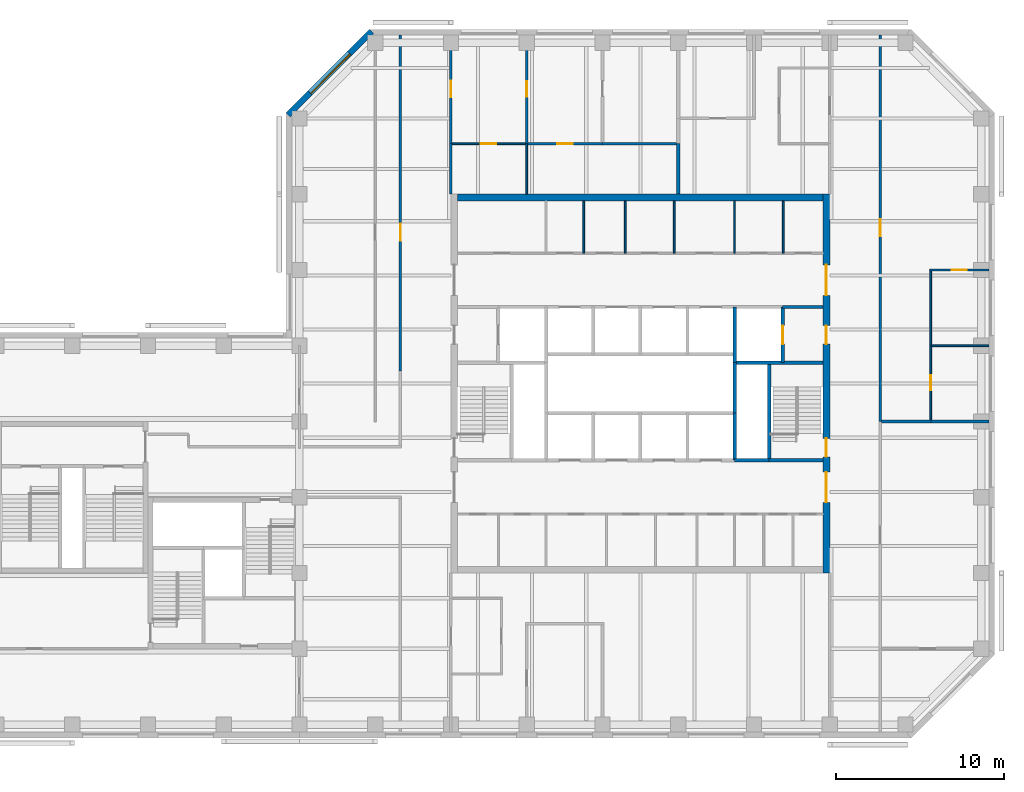
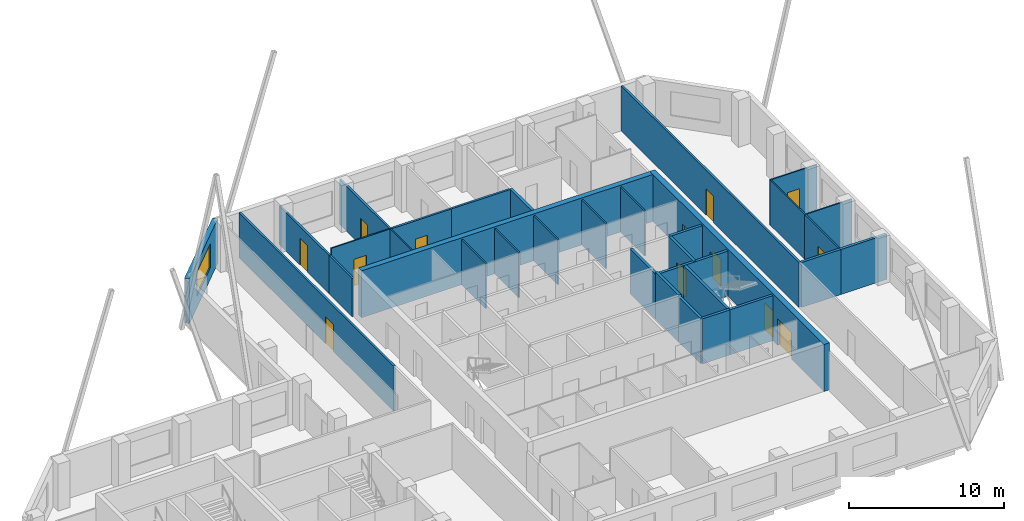
# One storey, part 6 of 9: 33 walls, 13 doors, 1 window, 14 openings.
"""IFC4 building model written with IfcOpenShell, lengths in metres."""

from ifc_helpers import new_model, si_unit, direction, frame, frame_2d, origin, place, context, subcontext, project, spatial, rectangle, extrude, material, layer, layer_set, constituent, constituent_set, type_object, element, fill, save


model = new_model("IFC4")

# Units and contexts
model_context = context("Model", 3, precision=1e-05, world=origin(), true_north=direction((0.0, 1.0)))
body_context = subcontext(model_context, "Body", "Model", "MODEL_VIEW")
ifc_project = project(units=[si_unit("LENGTHUNIT", "METRE"), si_unit("AREAUNIT", "SQUARE_METRE"), si_unit("VOLUMEUNIT", "CUBIC_METRE"), si_unit("PLANEANGLEUNIT", "RADIAN"), si_unit("MASSUNIT", "GRAM", prefix="KILO")], contexts=[model_context])

# Site, building, storey
site_placement = place(None, origin())
site = spatial("IfcSite", under=ifc_project, at=site_placement, CompositionType="ELEMENT")
building_placement = place(site_placement, origin())
building = spatial("IfcBuilding", under=site, at=building_placement, Name="Quoin Convention Tower", CompositionType="ELEMENT")
storey_placement = place(building_placement, frame((0.0, 0.0, 158.800048828125)))
storey = spatial("IfcBuildingStorey", under=building, at=storey_placement, Name="L41", CompositionType="ELEMENT", Elevation=158.800048828125)

# Wall, opening, door
ifc_material_1 = material(Name="Plasterboard")
ifc_layer_1 = layer(ifc_material_1, 0.012451171875, Name="Finish")
ifc_material_2 = material(Name="Steel stud framing", Category="steel")
ifc_layer_2 = layer(ifc_material_2, 0.125, Name="Structure")
ifc_layer_3 = layer(ifc_material_1, 0.012451171875, Name="Finish")
ifc_layer_set_1 = layer_set([ifc_layer_1, ifc_layer_2, ifc_layer_3], Name="Steel stud framing")
wall_type_1 = type_object("IfcWallType", Name="Acoustic partition 150", PredefinedType="PARTITIONING", material=ifc_layer_set_1)
wall_1_placement = place(storey_placement, frame((49.574951171875, 75.0, 0.0), z_axis=(0.0, 0.0, 1.0), x_axis=(1.0, 0.0, 0.0)))
wall_1 = element("IfcWall", 1, at=wall_1_placement, inside=storey, type_object=wall_type_1, Name="pw-L41-024", PredefinedType="PARTITIONING", context=body_context, shape_type="SweptSolid", body=[
    extrude(rectangle(XDim=4.425048828125, YDim=0.14990234375, at=frame_2d((2.21240234375, 0.0))), origin(), (0.0, 0.0, 1.0), 3.550048828125),
])
opening_1_placement = place(wall_1_placement, frame((1.75, 0.0, 0.0)))
opening_1 = element("IfcOpeningElement", 2, at=opening_1_placement, cuts=wall_1, Name="Opening DOH2-04", PredefinedType="OPENING", context=body_context, shape_type="SweptSolid", body=[
    extrude(rectangle(XDim=0.89990234375, YDim=2.10009765625, at=frame_2d((0.449951171875, 1.050048828125))), frame((0.0, 0.0849609375, 0.0), z_axis=(0.0, -1.0, 0.0), x_axis=(1.0, 0.0, 0.0)), (0.0, 0.0, 1.0), 0.169921875),
])
ifc_material_3 = material(Name="Steel door leaf", Category="steel")
door_type_1 = type_object("IfcDoorType", Name="Office door 900 x 2100", OperationType="SINGLE_SWING_RIGHT", PredefinedType="DOOR", material=ifc_material_3)
door_1_placement = place(opening_1_placement, origin())
door_1 = element("IfcDoor", 3, at=door_1_placement, inside=storey, type_object=door_type_1, Name="dr-L41-20", OperationType="SINGLE_SWING_RIGHT", OverallHeight=2.10009765625, OverallWidth=0.89990234375, PredefinedType="DOOR", context=body_context, shape_type="SweptSolid", body=[
    extrude(rectangle(XDim=0.89990234375, YDim=2.10009765625, at=frame_2d((0.449951171875, 1.050048828125))), frame((0.0, 0.02490234375, 0.0), z_axis=(0.0, -1.0, 0.0), x_axis=(1.0, 0.0, 0.0)), (0.0, 0.0, 1.0), 0.050048828125),
])
fill(opening_1, door_1)

# Wall
wall_2_placement = place(storey_placement, frame((54.0, 75.0, 0.0), z_axis=(0.0, 0.0, 1.0), x_axis=(1.0, 0.0, 0.0)))
element("IfcWall", 4, at=wall_2_placement, inside=storey, type_object=wall_type_1, Name="pw-L41-025", PredefinedType="PARTITIONING", context=body_context, shape_type="SweptSolid", body=[
    extrude(rectangle(XDim=4.39990234375, YDim=0.14990234375, at=frame_2d((2.199951171875, 0.0))), origin(), (0.0, 0.0, 1.0), 3.550048828125),
])

# Wall, opening, door
wall_3_placement = place(storey_placement, frame((49.5, 75.0, 0.0), z_axis=(0.0, 0.0, 1.0), x_axis=(0.0, 1.0, 0.0)))
wall_3 = element("IfcWall", 5, at=wall_3_placement, inside=storey, type_object=wall_type_1, Name="pw-L41-065", PredefinedType="PARTITIONING", context=body_context, shape_type="SweptSolid", body=[
    extrude(rectangle(XDim=6.449951171875, YDim=0.14990234375, at=frame_2d((3.22509765625, 0.0))), origin(), (0.0, 0.0, 1.0), 3.550048828125),
])
opening_2_placement = place(wall_3_placement, frame((2.800048828125, 0.0, 0.0)))
opening_2 = element("IfcOpeningElement", 6, at=opening_2_placement, cuts=wall_3, Name="Opening DOH2-15", PredefinedType="OPENING", context=body_context, shape_type="SweptSolid", body=[
    extrude(rectangle(XDim=0.89990234375, YDim=2.10009765625, at=frame_2d((0.449951171875, 1.050048828125))), frame((0.0, 0.0849609375, 0.0), z_axis=(0.0, -1.0, 0.0), x_axis=(1.0, 0.0, 0.0)), (0.0, 0.0, 1.0), 0.169921875),
])
door_2_placement = place(opening_2_placement, frame((0.89990234375, 0.0, 0.0), z_axis=(0.0, 0.0, 1.0), x_axis=(-1.0, 0.0, 0.0)))
door_2 = element("IfcDoor", 7, at=door_2_placement, inside=storey, type_object=door_type_1, Name="dr-L41-17", OperationType="SINGLE_SWING_LEFT", OverallHeight=2.10009765625, OverallWidth=0.89990234375, PredefinedType="DOOR", context=body_context, shape_type="SweptSolid", body=[
    extrude(rectangle(XDim=0.89990234375, YDim=2.10009765625, at=frame_2d((0.449951171875, 1.050048828125))), frame((0.0, 0.02490234375, 0.0), z_axis=(0.0, -1.0, 0.0), x_axis=(1.0, 0.0, 0.0)), (0.0, 0.0, 1.0), 0.050048828125),
])
fill(opening_2, door_2)

# Wall, opening, window
ifc_material_4 = material(Name="Brick masonry", Category="masonry")
ifc_layer_4 = layer(ifc_material_4, 0.35009765625)
ifc_layer_set_2 = layer_set([ifc_layer_4], Name="Brick masonry")
wall_type_2 = type_object("IfcWallType", Name="Brick facade wall", PredefinedType="STANDARD", material=ifc_layer_set_2)
wall_4_placement = place(storey_placement, frame((40.29248046875, 81.67626953125, 0.0), z_axis=(0.0, 0.0, 1.0), x_axis=(-0.707106781187, -0.707106781187, 0.0)))
wall_4 = element("IfcWall", 8, at=wall_4_placement, inside=storey, type_object=wall_type_2, Name="fw-L41-40500_81000", PredefinedType="STANDARD", context=body_context, shape_type="SweptSolid", body=[
    extrude(rectangle(XDim=7.02685546875, YDim=0.35009765625, at=frame_2d((3.513427734375, 0.0))), origin(), (0.0, 0.0, 1.0), 3.52490234375),
])
opening_3_placement = place(wall_4_placement, frame((1.86328125, 0.0, 0.89990234375)))
opening_3 = element("IfcOpeningElement", 9, at=opening_3_placement, cuts=wall_4, Name="Opening W-02", PredefinedType="OPENING", context=body_context, shape_type="SweptSolid", body=[
    extrude(rectangle(XDim=3.300048828125, YDim=1.89990234375, at=frame_2d((1.64990234375, 0.949951171875))), frame((0.0, 0.18505859375, 0.0), z_axis=(0.0, -1.0, 0.0), x_axis=(1.0, 0.0, 0.0)), (0.0, 0.0, 1.0), 0.3701171875),
])
ifc_material_5 = material(Name="Aluminium", Category="aluminium")
ifc_constituent_1 = constituent(ifc_material_5, Name="Frame")
ifc_material_6 = material(Name="Insulated glass", Category="glass")
ifc_constituent_2 = constituent(ifc_material_6, Name="Glazing")
ifc_constituent_set = constituent_set(constituents=[ifc_constituent_1, ifc_constituent_2], Name="Aluminium")
window_type = type_object("IfcWindowType", Name="Office window", PartitioningType="DOUBLE_PANEL_VERTICAL", PredefinedType="WINDOW", material=ifc_constituent_set)
window_placement = place(opening_3_placement, origin())
window = element("IfcWindow", 10, at=window_placement, inside=storey, type_object=window_type, Name="win-L41-37808_79192", OverallHeight=1.89990234375, OverallWidth=3.300048828125, PartitioningType="SINGLE_PANEL", PredefinedType="WINDOW", context=body_context, shape_type="SweptSolid", body=[
    extrude(rectangle(XDim=3.300048828125, YDim=1.89990234375, at=frame_2d((1.64990234375, 0.949951171875))), frame((0.0, 0.0849609375, 0.0), z_axis=(0.0, -1.0, 0.0), x_axis=(1.0, 0.0, 0.0)), (0.0, 0.0, 1.0), 0.06005859375),
])
fill(opening_3, window)

# Walls
ifc_layer_5 = layer(ifc_material_1, 0.012451171875, Name="Finish")
ifc_layer_6 = layer(ifc_material_2, 0.074951171875, Name="Structure")
ifc_layer_7 = layer(ifc_material_1, 0.012451171875, Name="Finish")
ifc_layer_set_3 = layer_set([ifc_layer_5, ifc_layer_6, ifc_layer_7], Name="Steel stud framing")
wall_type_3 = type_object("IfcWallType", Name="Core partition wall", PredefinedType="PARTITIONING", material=ifc_layer_set_3)
for number, where, z_axis, x_axis, name in (
    (11, (52.889892578125, 68.5, 0.0), (0.0, 0.0, 1.0), (0.0, 1.0, 0.0), "cr-C1-L41-v7890_19000"),
    (12, (55.35400390625, 68.5, 0.0), (0.0, 0.0, 1.0), (0.0, 1.0, 0.0), "cr-C1-L41-v10354_19000"),
    (13, (58.26611328125, 68.5, 0.0), (0.0, 0.0, 1.0), (0.0, 1.0, 0.0), "cr-C1-L41-v13266_19000"),
    (14, (61.85009765625, 68.5, 0.0), (0.0, 0.0, 1.0), (0.0, 1.0, 0.0), "cr-C1-L41-v16850_19000"),
    (15, (64.737548828125, 68.5, 0.0), (0.0, 0.0, 1.0), (0.0, 1.0, 0.0), "cr-C1-L41-v19738_19000"),
):
    element("IfcWall", number, at=place(storey_placement, frame(where, z_axis=z_axis, x_axis=x_axis)), inside=storey, type_object=wall_type_3, Name=name, PredefinedType="PARTITIONING", context=body_context, shape_type="SweptSolid", body=[
        extrude(rectangle(XDim=3.10009765625, YDim=0.10009765625, at=frame_2d((1.550048828125, 0.0))), origin(), (0.0, 0.0, 1.0), 3.550048828125),
    ])
ifc_material_7 = material(Name="Concrete C50", Category="concrete")
ifc_layer_8 = layer(ifc_material_7, 0.199951171875)
ifc_layer_set_4 = layer_set([ifc_layer_8], Name="Concrete C50")
wall_type_4 = type_object("IfcWallType", Name="Core shaft wall", PredefinedType="SOLIDWALL", material=ifc_layer_set_4)
wall_5_placement = place(storey_placement, frame((61.85009765625, 56.199951171875, 0.0), z_axis=(0.0, 0.0, 1.0), x_axis=(1.0, 0.0, 0.0)))
element("IfcWall", 16, at=wall_5_placement, inside=storey, type_object=wall_type_4, Name="cr-C1-L41-h6700_16850", PredefinedType="SOLIDWALL", context=body_context, shape_type="SweptSolid", body=[
    extrude(rectangle(XDim=2.0498046875, YDim=0.199951171875, at=frame_2d((1.02490234375, 0.0))), origin(), (0.0, 0.0, 1.0), 3.550048828125),
])
wall_6_placement = place(storey_placement, frame((63.89990234375, 56.199951171875, 0.0), z_axis=(0.0, 0.0, 1.0), x_axis=(1.0, 0.0, 0.0)))
element("IfcWall", 17, at=wall_6_placement, inside=storey, type_object=wall_type_4, Name="cr-C1-L41-h6700_18900", PredefinedType="SOLIDWALL", context=body_context, shape_type="SweptSolid", body=[
    extrude(rectangle(XDim=3.2001953125, YDim=0.199951171875, at=frame_2d((1.60009765625, 0.0))), origin(), (0.0, 0.0, 1.0), 3.550048828125),
])
wall_7_placement = place(storey_placement, frame((61.85009765625, 62.0, 0.0), z_axis=(0.0, 0.0, 1.0), x_axis=(1.0, 0.0, 0.0)))
element("IfcWall", 18, at=wall_7_placement, inside=storey, type_object=wall_type_4, Name="cr-C1-L41-h12500_16850", PredefinedType="SOLIDWALL", context=body_context, shape_type="SweptSolid", body=[
    extrude(rectangle(XDim=5.25, YDim=0.199951171875, at=frame_2d((2.625, 0.0))), origin(), (0.0, 0.0, 1.0), 3.550048828125),
])
wall_8_placement = place(storey_placement, frame((64.699951171875, 65.300048828125, 0.0), z_axis=(0.0, 0.0, 1.0), x_axis=(1.0, 0.0, 0.0)))
element("IfcWall", 19, at=wall_8_placement, inside=storey, type_object=wall_type_4, Name="cr-C1-L41-h15800_19700", PredefinedType="SOLIDWALL", context=body_context, shape_type="SweptSolid", body=[
    extrude(rectangle(XDim=2.400146484375, YDim=0.199951171875, at=frame_2d((1.2001953125, 0.0))), origin(), (0.0, 0.0, 1.0), 3.550048828125),
])
wall_9_placement = place(storey_placement, frame((61.85009765625, 56.199951171875, 0.0), z_axis=(0.0, 0.0, 1.0), x_axis=(0.0, 1.0, 0.0)))
element("IfcWall", 20, at=wall_9_placement, inside=storey, type_object=wall_type_4, Name="cr-C1-L41-v16850_6700", PredefinedType="SOLIDWALL", context=body_context, shape_type="SweptSolid", body=[
    extrude(rectangle(XDim=2.800048828125, YDim=0.199951171875, at=frame_2d((1.39990234375, 0.0))), origin(), (0.0, 0.0, 1.0), 3.550048828125),
])
wall_10_placement = place(storey_placement, frame((61.85009765625, 62.0, 0.0), z_axis=(0.0, 0.0, 1.0), x_axis=(0.0, 1.0, 0.0)))
element("IfcWall", 21, at=wall_10_placement, inside=storey, type_object=wall_type_4, Name="cr-C1-L41-v16850_12500", PredefinedType="SOLIDWALL", context=body_context, shape_type="SweptSolid", body=[
    extrude(rectangle(XDim=3.300048828125, YDim=0.199951171875, at=frame_2d((1.64990234375, 0.0))), origin(), (0.0, 0.0, 1.0), 3.550048828125),
])
wall_11_placement = place(storey_placement, frame((63.89990234375, 56.199951171875, 0.0), z_axis=(0.0, 0.0, 1.0), x_axis=(0.0, 1.0, 0.0)))
element("IfcWall", 22, at=wall_11_placement, inside=storey, type_object=wall_type_4, Name="cr-C1-L41-v18900_6700", PredefinedType="SOLIDWALL", context=body_context, shape_type="SweptSolid", body=[
    extrude(rectangle(XDim=5.800048828125, YDim=0.199951171875, at=frame_2d((2.89990234375, 0.0))), origin(), (0.0, 0.0, 1.0), 3.550048828125),
])

# Wall, opening, door
wall_12_placement = place(storey_placement, frame((64.699951171875, 62.0, 0.0), z_axis=(0.0, 0.0, 1.0), x_axis=(0.0, 1.0, 0.0)))
wall_12 = element("IfcWall", 23, at=wall_12_placement, inside=storey, type_object=wall_type_4, Name="cr-C1-L41-v19700_12500", PredefinedType="SOLIDWALL", context=body_context, shape_type="SweptSolid", body=[
    extrude(rectangle(XDim=3.300048828125, YDim=0.199951171875, at=frame_2d((1.64990234375, 0.0))), origin(), (0.0, 0.0, 1.0), 3.550048828125),
])
opening_4_placement = place(wall_12_placement, frame((1.10009765625, 0.0, 0.0)))
opening_4 = element("IfcOpeningElement", 24, at=opening_4_placement, cuts=wall_12, Name="Opening LDFL2", PredefinedType="OPENING", context=body_context, shape_type="SweptSolid", body=[
    extrude(rectangle(XDim=1.10009765625, YDim=2.10009765625, at=frame_2d((0.550048828125, 1.050048828125))), frame((0.0, 0.10986328125, 0.0), z_axis=(0.0, -1.0, 0.0), x_axis=(1.0, 0.0, 0.0)), (0.0, 0.0, 1.0), 0.219970703125),
])
door_type_2 = type_object("IfcDoorType", Name="Lift landing door 1100 x 2100", OperationType="DOUBLE_DOOR_SLIDING", PredefinedType="DOOR", material=ifc_material_3)
door_3_placement = place(opening_4_placement, origin())
door_3 = element("IfcDoor", 25, at=door_3_placement, inside=storey, type_object=door_type_2, Name="cd-C1-L41-FLE-FFE-LDFL2", OperationType="DOUBLE_DOOR_SLIDING", OverallHeight=2.10009765625, OverallWidth=1.10009765625, PredefinedType="DOOR", context=body_context, shape_type="SweptSolid", body=[
    extrude(rectangle(XDim=1.10009765625, YDim=2.10009765625, at=frame_2d((0.550048828125, 1.050048828125))), frame((0.0, 0.02490234375, 0.0), z_axis=(0.0, -1.0, 0.0), x_axis=(1.0, 0.0, 0.0)), (0.0, 0.0, 1.0), 0.050048828125),
])
fill(opening_4, door_3)

# Wall
ifc_layer_9 = layer(ifc_material_7, 0.199951171875)
ifc_layer_set_5 = layer_set([ifc_layer_9], Name="Concrete C50")
wall_type_5 = type_object("IfcWallType", Name="Core shaft wall to the floor level over", PredefinedType="SOLIDWALL", material=ifc_layer_set_5)
wall_13_placement = place(storey_placement, frame((61.85009765625, 59.0, 0.0), z_axis=(0.0, 0.0, 1.0), x_axis=(0.0, 1.0, 0.0)))
element("IfcWall", 26, at=wall_13_placement, inside=storey, type_object=wall_type_5, Name="cr-C1-L41-v16850_9500", PredefinedType="SOLIDWALL", context=body_context, shape_type="SweptSolid", body=[
    extrude(rectangle(XDim=3.0, YDim=0.199951171875, at=frame_2d((1.5, 0.0))), origin(), (0.0, 0.0, 1.0), 3.699951171875),
])

# Wall, opening, door
ifc_layer_10 = layer(ifc_material_1, 0.012451171875, Name="Finish")
ifc_layer_11 = layer(ifc_material_2, 0.125, Name="Structure")
ifc_layer_12 = layer(ifc_material_1, 0.012451171875, Name="Finish")
ifc_layer_set_6 = layer_set([ifc_layer_10, ifc_layer_11, ifc_layer_12], Name="Steel stud framing")
wall_type_6 = type_object("IfcWallType", Name="Corridor wall 150", PredefinedType="PARTITIONING", material=ifc_layer_set_6)
wall_14_placement = place(storey_placement, frame((70.5, 58.5, 0.0), z_axis=(0.0, 0.0, 1.0), x_axis=(0.0, 1.0, 0.0)))
wall_14 = element("IfcWall", 27, at=wall_14_placement, inside=storey, type_object=wall_type_6, Name="pw-L41-049", PredefinedType="PARTITIONING", context=body_context, shape_type="SweptSolid", body=[
    extrude(rectangle(XDim=22.949951171875, YDim=0.14990234375, at=frame_2d((11.47509765625, 0.0))), origin(), (0.0, 0.0, 1.0), 3.550048828125),
])
opening_5_placement = place(wall_14_placement, frame((11.0, 0.0, 0.0)))
opening_5 = element("IfcOpeningElement", 28, at=opening_5_placement, cuts=wall_14, Name="Opening DOH2-11", PredefinedType="OPENING", context=body_context, shape_type="SweptSolid", body=[
    extrude(rectangle(XDim=1.0, YDim=2.10009765625, at=frame_2d((0.5, 1.050048828125))), frame((0.0, 0.0849609375, 0.0), z_axis=(0.0, -1.0, 0.0), x_axis=(1.0, 0.0, 0.0)), (0.0, 0.0, 1.0), 0.169921875),
])
door_type_3 = type_object("IfcDoorType", Name="Tenancy entrance door 1000 x 2100", OperationType="DOUBLE_DOOR_SINGLE_SWING", PredefinedType="DOOR", material=ifc_material_3)
door_4_placement = place(opening_5_placement, frame((1.0, 0.0, 0.0), z_axis=(0.0, 0.0, 1.0), x_axis=(-1.0, 0.0, 0.0)))
door_4 = element("IfcDoor", 29, at=door_4_placement, inside=storey, type_object=door_type_3, Name="dr-L41-26", OperationType="DOUBLE_DOOR_SINGLE_SWING", OverallHeight=2.10009765625, OverallWidth=1.0, PredefinedType="DOOR", context=body_context, shape_type="SweptSolid", body=[
    extrude(rectangle(XDim=1.0, YDim=2.10009765625, at=frame_2d((0.5, 1.050048828125))), frame((0.0, 0.02490234375, 0.0), z_axis=(0.0, -1.0, 0.0), x_axis=(1.0, 0.0, 0.0)), (0.0, 0.0, 1.0), 0.050048828125),
])
fill(opening_5, door_4)

wall_15_placement = place(storey_placement, frame((42.0, 61.5, 0.0), z_axis=(0.0, 0.0, 1.0), x_axis=(0.0, 1.0, 0.0)))
wall_15 = element("IfcWall", 30, at=wall_15_placement, inside=storey, type_object=wall_type_6, Name="pw-L41-056", PredefinedType="PARTITIONING", context=body_context, shape_type="SweptSolid", body=[
    extrude(rectangle(XDim=19.949951171875, YDim=0.14990234375, at=frame_2d((9.97509765625, 0.0))), origin(), (0.0, 0.0, 1.0), 3.550048828125),
])
opening_6_placement = place(wall_15_placement, frame((7.75, 0.0, 0.0)))
opening_6 = element("IfcOpeningElement", 31, at=opening_6_placement, cuts=wall_15, Name="Opening DOH2-13", PredefinedType="OPENING", context=body_context, shape_type="SweptSolid", body=[
    extrude(rectangle(XDim=1.0, YDim=2.10009765625, at=frame_2d((0.5, 1.050048828125))), frame((0.0, 0.0849609375, 0.0), z_axis=(0.0, -1.0, 0.0), x_axis=(1.0, 0.0, 0.0)), (0.0, 0.0, 1.0), 0.169921875),
])
door_5_placement = place(opening_6_placement, origin())
door_5 = element("IfcDoor", 32, at=door_5_placement, inside=storey, type_object=door_type_3, Name="dr-L41-w01", OperationType="DOUBLE_DOOR_SINGLE_SWING", OverallHeight=2.10009765625, OverallWidth=1.0, PredefinedType="DOOR", context=body_context, shape_type="SweptSolid", body=[
    extrude(rectangle(XDim=1.0, YDim=2.10009765625, at=frame_2d((0.5, 1.050048828125))), frame((0.0, 0.02490234375, 0.0), z_axis=(0.0, -1.0, 0.0), x_axis=(1.0, 0.0, 0.0)), (0.0, 0.0, 1.0), 0.050048828125),
])
fill(opening_6, door_5)

# Wall
ifc_layer_13 = layer(ifc_material_1, 0.012451171875, Name="Finish")
ifc_layer_14 = layer(ifc_material_2, 0.125, Name="Structure")
ifc_layer_15 = layer(ifc_material_1, 0.012451171875, Name="Finish")
ifc_layer_set_7 = layer_set([ifc_layer_13, ifc_layer_14, ifc_layer_15], Name="Steel stud framing")
wall_type_7 = type_object("IfcWallType", Name="Corridor wall 150 under beam 528", PredefinedType="PARTITIONING", material=ifc_layer_set_7)
wall_16_placement = place(storey_placement, frame((45.0, 72.0, 0.0), z_axis=(0.0, 0.0, 1.0), x_axis=(0.0, 1.0, 0.0)))
element("IfcWall", 33, at=wall_16_placement, inside=storey, type_object=wall_type_7, Name="pw-L41-060", PredefinedType="PARTITIONING", context=body_context, shape_type="SweptSolid", body=[
    extrude(rectangle(XDim=3.0, YDim=0.14990234375, at=frame_2d((1.5, 0.0))), origin(), (0.0, 0.0, 1.0), 3.02197265625),
])

# Wall, opening, door
wall_17_placement = place(storey_placement, frame((45.0, 75.0, 0.0), z_axis=(0.0, 0.0, 1.0), x_axis=(0.0, 1.0, 0.0)))
wall_17 = element("IfcWall", 34, at=wall_17_placement, inside=storey, type_object=wall_type_7, Name="pw-L41-064", PredefinedType="PARTITIONING", context=body_context, shape_type="SweptSolid", body=[
    extrude(rectangle(XDim=6.449951171875, YDim=0.14990234375, at=frame_2d((3.22509765625, 0.0))), origin(), (0.0, 0.0, 1.0), 3.02197265625),
])
opening_7_placement = place(wall_17_placement, frame((2.75, 0.0, 0.0)))
opening_7 = element("IfcOpeningElement", 35, at=opening_7_placement, cuts=wall_17, Name="Opening DOH2-14", PredefinedType="OPENING", context=body_context, shape_type="SweptSolid", body=[
    extrude(rectangle(XDim=1.0, YDim=2.10009765625, at=frame_2d((0.5, 1.050048828125))), frame((0.0, 0.0849609375, 0.0), z_axis=(0.0, -1.0, 0.0), x_axis=(1.0, 0.0, 0.0)), (0.0, 0.0, 1.0), 0.169921875),
])
door_6_placement = place(opening_7_placement, origin())
door_6 = element("IfcDoor", 36, at=door_6_placement, inside=storey, type_object=door_type_3, Name="dr-L41-16", OperationType="DOUBLE_DOOR_SINGLE_SWING", OverallHeight=2.10009765625, OverallWidth=1.0, PredefinedType="DOOR", context=body_context, shape_type="SweptSolid", body=[
    extrude(rectangle(XDim=1.0, YDim=2.10009765625, at=frame_2d((0.5, 1.050048828125))), frame((0.0, 0.02490234375, 0.0), z_axis=(0.0, -1.0, 0.0), x_axis=(1.0, 0.0, 0.0)), (0.0, 0.0, 1.0), 0.050048828125),
])
fill(opening_7, door_6)

# Wall
ifc_layer_16 = layer(ifc_material_7, 0.39990234375)
ifc_layer_set_8 = layer_set([ifc_layer_16], Name="Concrete C50")
wall_type_8 = type_object("IfcWallType", Name="RC CORE WALL 400 C50", PredefinedType="SHEAR", material=ifc_layer_set_8)
wall_18_placement = place(storey_placement, frame((45.39990234375, 71.800048828125, 0.0), z_axis=(0.0, 0.0, 1.0), x_axis=(1.0, 0.0, 0.0)))
element("IfcWall", 37, at=wall_18_placement, inside=storey, type_object=wall_type_8, Name="cwl-C1-L41-N", PredefinedType="SHEAR", context=body_context, shape_type="SweptSolid", body=[
    extrude(rectangle(XDim=21.7001953125, YDim=0.39990234375, at=frame_2d((10.85009765625, 0.0))), origin(), (0.0, 0.0, 1.0), 3.699951171875),
])

# Wall, openings, doors
wall_19_placement = place(storey_placement, frame((67.300048828125, 49.5, 0.0), z_axis=(0.0, 0.0, 1.0), x_axis=(0.0, 1.0, 0.0)))
wall_19 = element("IfcWall", 38, at=wall_19_placement, inside=storey, type_object=wall_type_8, Name="cwl-C1-L41-E", PredefinedType="SHEAR", context=body_context, shape_type="SweptSolid", body=[
    extrude(rectangle(XDim=22.5, YDim=0.39990234375, at=frame_2d((11.25, 0.0))), origin(), (0.0, 0.0, 1.0), 3.699951171875),
])
opening_8_placement = place(wall_19_placement, frame((4.199951171875, 0.0, 0.0)))
opening_8 = element("IfcOpeningElement", 39, at=opening_8_placement, cuts=wall_19, Name="Opening DCV2-38", PredefinedType="OPENING", context=body_context, shape_type="SweptSolid", body=[
    extrude(rectangle(XDim=1.800048828125, YDim=2.10009765625, at=frame_2d((0.89990234375, 1.050048828125))), frame((0.0, 0.2099609375, 0.0), z_axis=(0.0, -1.0, 0.0), x_axis=(1.0, 0.0, 0.0)), (0.0, 0.0, 1.0), 0.419921875),
])
opening_9_placement = place(wall_19_placement, frame((6.89990234375, 0.0, 0.0)))
opening_9 = element("IfcOpeningElement", 40, at=opening_9_placement, cuts=wall_19, Name="Opening SD2", PredefinedType="OPENING", context=body_context, shape_type="SweptSolid", body=[
    extrude(rectangle(XDim=1.10009765625, YDim=2.10009765625, at=frame_2d((0.550048828125, 1.050048828125))), frame((0.0, 0.2099609375, 0.0), z_axis=(0.0, -1.0, 0.0), x_axis=(1.0, 0.0, 0.0)), (0.0, 0.0, 1.0), 0.419921875),
])
opening_10_placement = place(wall_19_placement, frame((13.60009765625, 0.0, 0.0)))
opening_10 = element("IfcOpeningElement", 41, at=opening_10_placement, cuts=wall_19, Name="Opening DCV2-37", PredefinedType="OPENING", context=body_context, shape_type="SweptSolid", body=[
    extrude(rectangle(XDim=1.10009765625, YDim=2.10009765625, at=frame_2d((0.550048828125, 1.050048828125))), frame((0.0, 0.2099609375, 0.0), z_axis=(0.0, -1.0, 0.0), x_axis=(1.0, 0.0, 0.0)), (0.0, 0.0, 1.0), 0.419921875),
])
opening_11_placement = place(wall_19_placement, frame((16.5, 0.0, 0.0)))
opening_11 = element("IfcOpeningElement", 42, at=opening_11_placement, cuts=wall_19, Name="Opening DCV2-38", PredefinedType="OPENING", context=body_context, shape_type="SweptSolid", body=[
    extrude(rectangle(XDim=1.800048828125, YDim=2.10009765625, at=frame_2d((0.89990234375, 1.050048828125))), frame((0.0, 0.2099609375, 0.0), z_axis=(0.0, -1.0, 0.0), x_axis=(1.0, 0.0, 0.0)), (0.0, 0.0, 1.0), 0.419921875),
])
door_type_4 = type_object("IfcDoorType", Name="Fire-fighting lobby door 1100 x 2100", OperationType="SINGLE_SWING_LEFT", PredefinedType="DOOR", material=ifc_material_3)
door_7_placement = place(opening_10_placement, origin())
door_7 = element("IfcDoor", 43, at=door_7_placement, inside=storey, type_object=door_type_4, Name="cd-C1-L41-FFE-E", OperationType="SINGLE_SWING_RIGHT", OverallHeight=2.10009765625, OverallWidth=1.10009765625, PredefinedType="DOOR", context=body_context, shape_type="SweptSolid", body=[
    extrude(rectangle(XDim=1.10009765625, YDim=2.10009765625, at=frame_2d((0.550048828125, 1.050048828125))), frame((0.0, 0.02490234375, 0.0), z_axis=(0.0, -1.0, 0.0), x_axis=(1.0, 0.0, 0.0)), (0.0, 0.0, 1.0), 0.050048828125),
])
fill(opening_10, door_7)
door_type_5 = type_object("IfcDoorType", Name="Lift lobby door 1800 x 2100", OperationType="SINGLE_SWING_LEFT", PredefinedType="DOOR", material=ifc_material_3)
door_8_placement = place(opening_8_placement, origin())
door_8 = element("IfcDoor", 44, at=door_8_placement, inside=storey, type_object=door_type_5, Name="cd-C1-L41-lobA-E", OperationType="SINGLE_SWING_RIGHT", OverallHeight=2.10009765625, OverallWidth=1.800048828125, PredefinedType="DOOR", context=body_context, shape_type="SweptSolid", body=[
    extrude(rectangle(XDim=1.800048828125, YDim=2.10009765625, at=frame_2d((0.89990234375, 1.050048828125))), frame((0.0, 0.02490234375, 0.0), z_axis=(0.0, -1.0, 0.0), x_axis=(1.0, 0.0, 0.0)), (0.0, 0.0, 1.0), 0.050048828125),
])
fill(opening_8, door_8)
door_9_placement = place(opening_11_placement, origin())
door_9 = element("IfcDoor", 45, at=door_9_placement, inside=storey, type_object=door_type_5, Name="cd-C1-L41-lobB-E", OperationType="SINGLE_SWING_RIGHT", OverallHeight=2.10009765625, OverallWidth=1.800048828125, PredefinedType="DOOR", context=body_context, shape_type="SweptSolid", body=[
    extrude(rectangle(XDim=1.800048828125, YDim=2.10009765625, at=frame_2d((0.89990234375, 1.050048828125))), frame((0.0, 0.02490234375, 0.0), z_axis=(0.0, -1.0, 0.0), x_axis=(1.0, 0.0, 0.0)), (0.0, 0.0, 1.0), 0.050048828125),
])
fill(opening_11, door_9)
door_type_6 = type_object("IfcDoorType", Name="Stair door 1100 x 2100", OperationType="SINGLE_SWING_RIGHT", PredefinedType="DOOR", material=ifc_material_3)
door_10_placement = place(opening_9_placement, origin())
door_10 = element("IfcDoor", 46, at=door_10_placement, inside=storey, type_object=door_type_6, Name="cd-C1-L41-STE-E", OperationType="SINGLE_SWING_LEFT", OverallHeight=2.10009765625, OverallWidth=1.10009765625, PredefinedType="DOOR", context=body_context, shape_type="SweptSolid", body=[
    extrude(rectangle(XDim=1.10009765625, YDim=2.10009765625, at=frame_2d((0.550048828125, 1.050048828125))), frame((0.0, 0.02490234375, 0.0), z_axis=(0.0, -1.0, 0.0), x_axis=(1.0, 0.0, 0.0)), (0.0, 0.0, 1.0), 0.050048828125),
])
fill(opening_9, door_10)

# Wall
ifc_layer_17 = layer(ifc_material_1, 0.012451171875, Name="Finish")
ifc_layer_18 = layer(ifc_material_2, 0.074951171875, Name="Structure")
ifc_layer_19 = layer(ifc_material_1, 0.012451171875, Name="Finish")
ifc_layer_set_9 = layer_set([ifc_layer_17, ifc_layer_18, ifc_layer_19], Name="Steel stud framing")
wall_type_9 = type_object("IfcWallType", Name="Stud partition 100", PredefinedType="PARTITIONING", material=ifc_layer_set_9)
wall_20_placement = place(storey_placement, frame((73.550048828125, 63.0, 0.0), z_axis=(0.0, 0.0, 1.0), x_axis=(1.0, 0.0, 0.0)))
element("IfcWall", 47, at=wall_20_placement, inside=storey, type_object=wall_type_9, Name="pw-L41-019", PredefinedType="PARTITIONING", context=body_context, shape_type="SweptSolid", body=[
    extrude(rectangle(XDim=3.39990234375, YDim=0.10009765625, at=frame_2d((1.699951171875, 0.0))), origin(), (0.0, 0.0, 1.0), 3.550048828125),
])

# Wall, opening, door
wall_21_placement = place(storey_placement, frame((73.449951171875, 67.5, 0.0), z_axis=(0.0, 0.0, 1.0), x_axis=(1.0, 0.0, 0.0)))
wall_21 = element("IfcWall", 48, at=wall_21_placement, inside=storey, type_object=wall_type_9, Name="pw-L41-021", PredefinedType="PARTITIONING", context=body_context, shape_type="SweptSolid", body=[
    extrude(rectangle(XDim=3.5, YDim=0.10009765625, at=frame_2d((1.75, 0.0))), origin(), (0.0, 0.0, 1.0), 3.550048828125),
])
opening_12_placement = place(wall_21_placement, frame((1.300048828125, 0.0, 0.0)))
opening_12 = element("IfcOpeningElement", 49, at=opening_12_placement, cuts=wall_21, Name="Opening DOH2-02", PredefinedType="OPENING", context=body_context, shape_type="SweptSolid", body=[
    extrude(rectangle(XDim=0.89990234375, YDim=2.10009765625, at=frame_2d((0.449951171875, 1.050048828125))), frame((0.0, 0.06005859375, 0.0), z_axis=(0.0, -1.0, 0.0), x_axis=(1.0, 0.0, 0.0)), (0.0, 0.0, 1.0), 0.1201171875),
])
door_11_placement = place(opening_12_placement, origin())
door_11 = element("IfcDoor", 50, at=door_11_placement, inside=storey, type_object=door_type_1, Name="dr-L41-28", OperationType="SINGLE_SWING_RIGHT", OverallHeight=2.10009765625, OverallWidth=0.89990234375, PredefinedType="DOOR", context=body_context, shape_type="SweptSolid", body=[
    extrude(rectangle(XDim=0.89990234375, YDim=2.10009765625, at=frame_2d((0.449951171875, 1.050048828125))), frame((0.0, 0.02490234375, 0.0), z_axis=(0.0, -1.0, 0.0), x_axis=(1.0, 0.0, 0.0)), (0.0, 0.0, 1.0), 0.050048828125),
])
fill(opening_12, door_11)

wall_22_placement = place(storey_placement, frame((45.074951171875, 75.0, 0.0), z_axis=(0.0, 0.0, 1.0), x_axis=(1.0, 0.0, 0.0)))
wall_22 = element("IfcWall", 51, at=wall_22_placement, inside=storey, type_object=wall_type_9, Name="pw-L41-023", PredefinedType="PARTITIONING", context=body_context, shape_type="SweptSolid", body=[
    extrude(rectangle(XDim=4.35009765625, YDim=0.10009765625, at=frame_2d((2.175048828125, 0.0))), origin(), (0.0, 0.0, 1.0), 3.550048828125),
])
opening_13_placement = place(wall_22_placement, frame((1.699951171875, 0.0, 0.0)))
opening_13 = element("IfcOpeningElement", 52, at=opening_13_placement, cuts=wall_22, Name="Opening DOH2-03", PredefinedType="OPENING", context=body_context, shape_type="SweptSolid", body=[
    extrude(rectangle(XDim=0.89990234375, YDim=2.10009765625, at=frame_2d((0.449951171875, 1.050048828125))), frame((0.0, 0.06005859375, 0.0), z_axis=(0.0, -1.0, 0.0), x_axis=(1.0, 0.0, 0.0)), (0.0, 0.0, 1.0), 0.1201171875),
])
door_12_placement = place(opening_13_placement, frame((0.89990234375, 0.0, 0.0), z_axis=(0.0, 0.0, 1.0), x_axis=(-1.0, 0.0, 0.0)))
door_12 = element("IfcDoor", 53, at=door_12_placement, inside=storey, type_object=door_type_1, Name="dr-L41-19", OperationType="SINGLE_SWING_LEFT", OverallHeight=2.10009765625, OverallWidth=0.89990234375, PredefinedType="DOOR", context=body_context, shape_type="SweptSolid", body=[
    extrude(rectangle(XDim=0.89990234375, YDim=2.10009765625, at=frame_2d((0.449951171875, 1.050048828125))), frame((0.0, 0.02490234375, 0.0), z_axis=(0.0, -1.0, 0.0), x_axis=(1.0, 0.0, 0.0)), (0.0, 0.0, 1.0), 0.050048828125),
])
fill(opening_13, door_12)

wall_23_placement = place(storey_placement, frame((73.5, 58.60009765625, 0.0), z_axis=(0.0, 0.0, 1.0), x_axis=(0.0, 1.0, 0.0)))
wall_23 = element("IfcWall", 54, at=wall_23_placement, inside=storey, type_object=wall_type_9, Name="pw-L41-051", PredefinedType="PARTITIONING", context=body_context, shape_type="SweptSolid", body=[
    extrude(rectangle(XDim=4.39990234375, YDim=0.10009765625, at=frame_2d((2.199951171875, 0.0))), origin(), (0.0, 0.0, 1.0), 3.550048828125),
])
opening_14_placement = place(wall_23_placement, frame((1.75, 0.0, 0.0)))
opening_14 = element("IfcOpeningElement", 55, at=opening_14_placement, cuts=wall_23, Name="Opening DOH2-12", PredefinedType="OPENING", context=body_context, shape_type="SweptSolid", body=[
    extrude(rectangle(XDim=0.89990234375, YDim=2.10009765625, at=frame_2d((0.449951171875, 1.050048828125))), frame((0.0, 0.06005859375, 0.0), z_axis=(0.0, -1.0, 0.0), x_axis=(1.0, 0.0, 0.0)), (0.0, 0.0, 1.0), 0.1201171875),
])
door_13_placement = place(opening_14_placement, origin())
door_13 = element("IfcDoor", 56, at=door_13_placement, inside=storey, type_object=door_type_1, Name="dr-L41-27", OperationType="SINGLE_SWING_RIGHT", OverallHeight=2.10009765625, OverallWidth=0.89990234375, PredefinedType="DOOR", context=body_context, shape_type="SweptSolid", body=[
    extrude(rectangle(XDim=0.89990234375, YDim=2.10009765625, at=frame_2d((0.449951171875, 1.050048828125))), frame((0.0, 0.02490234375, 0.0), z_axis=(0.0, -1.0, 0.0), x_axis=(1.0, 0.0, 0.0)), (0.0, 0.0, 1.0), 0.050048828125),
])
fill(opening_14, door_13)

# Walls
wall_24_placement = place(storey_placement, frame((73.5, 63.0, 0.0), z_axis=(0.0, 0.0, 1.0), x_axis=(0.0, 1.0, 0.0)))
element("IfcWall", 57, at=wall_24_placement, inside=storey, type_object=wall_type_9, Name="pw-L41-058", PredefinedType="PARTITIONING", context=body_context, shape_type="SweptSolid", body=[
    extrude(rectangle(XDim=4.449951171875, YDim=0.10009765625, at=frame_2d((2.22509765625, 0.0))), origin(), (0.0, 0.0, 1.0), 3.550048828125),
])
wall_25_placement = place(storey_placement, frame((49.5, 72.0, 0.0), z_axis=(0.0, 0.0, 1.0), x_axis=(0.0, 1.0, 0.0)))
element("IfcWall", 58, at=wall_25_placement, inside=storey, type_object=wall_type_9, Name="pw-L41-061", PredefinedType="PARTITIONING", context=body_context, shape_type="SweptSolid", body=[
    extrude(rectangle(XDim=3.0, YDim=0.10009765625, at=frame_2d((1.5, 0.0))), origin(), (0.0, 0.0, 1.0), 3.550048828125),
])
ifc_layer_20 = layer(ifc_material_1, 0.012451171875, Name="Finish")
ifc_layer_21 = layer(ifc_material_2, 0.175048828125, Name="Structure")
ifc_layer_22 = layer(ifc_material_1, 0.012451171875, Name="Finish")
ifc_layer_set_10 = layer_set([ifc_layer_20, ifc_layer_21, ifc_layer_22], Name="Steel stud framing")
wall_type_10 = type_object("IfcWallType", Name="Tenancy demising wall 200", PredefinedType="PARTITIONING", material=ifc_layer_set_10)
wall_26_placement = place(storey_placement, frame((70.574951171875, 58.5, 0.0), z_axis=(0.0, 0.0, 1.0), x_axis=(1.0, 0.0, 0.0)))
element("IfcWall", 59, at=wall_26_placement, inside=storey, type_object=wall_type_10, Name="pw-L41-014", PredefinedType="PARTITIONING", context=body_context, shape_type="SweptSolid", body=[
    extrude(rectangle(XDim=2.925048828125, YDim=0.199951171875, at=frame_2d((1.46240234375, 0.0))), origin(), (0.0, 0.0, 1.0), 3.550048828125),
])
wall_27_placement = place(storey_placement, frame((73.5, 58.5, 0.0), z_axis=(0.0, 0.0, 1.0), x_axis=(1.0, 0.0, 0.0)))
element("IfcWall", 60, at=wall_27_placement, inside=storey, type_object=wall_type_10, Name="pw-L41-015", PredefinedType="PARTITIONING", context=body_context, shape_type="SweptSolid", body=[
    extrude(rectangle(XDim=3.449951171875, YDim=0.199951171875, at=frame_2d((1.72509765625, 0.0))), origin(), (0.0, 0.0, 1.0), 3.550048828125),
])
wall_28_placement = place(storey_placement, frame((58.5, 72.0, 0.0), z_axis=(0.0, 0.0, 1.0), x_axis=(0.0, 1.0, 0.0)))
element("IfcWall", 61, at=wall_28_placement, inside=storey, type_object=wall_type_10, Name="pw-L41-062", PredefinedType="PARTITIONING", context=body_context, shape_type="SweptSolid", body=[
    extrude(rectangle(XDim=3.0, YDim=0.199951171875, at=frame_2d((1.5, 0.0))), origin(), (0.0, 0.0, 1.0), 3.550048828125),
])

save(model, "model.ifc")
